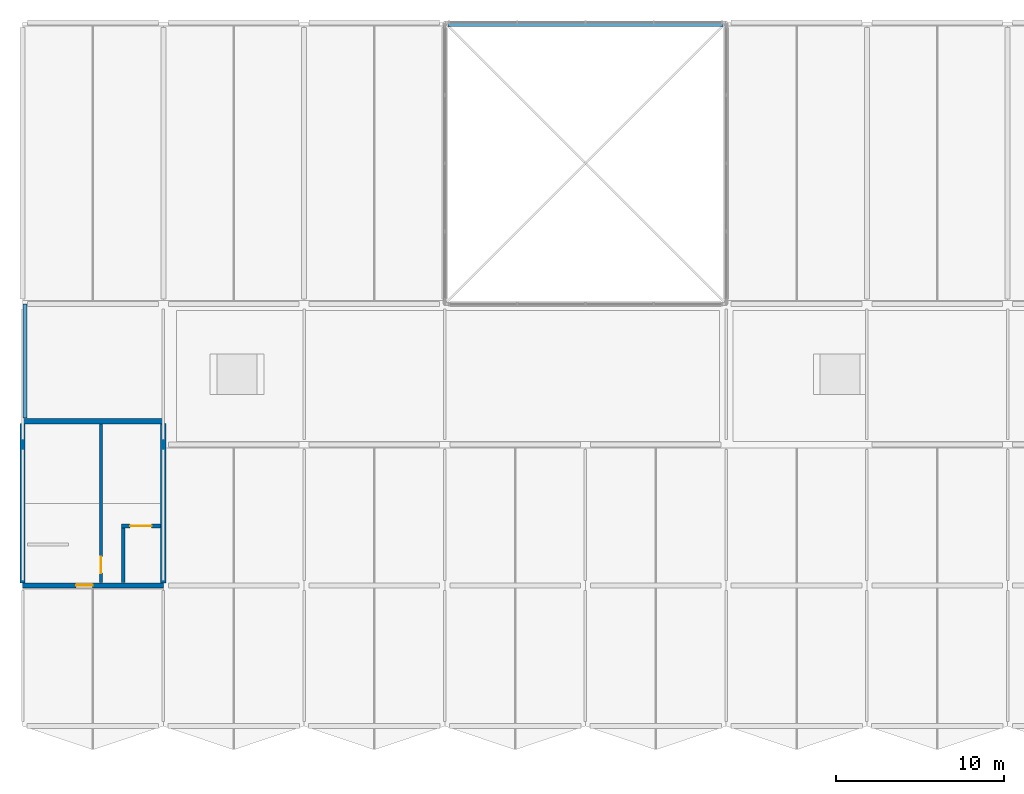
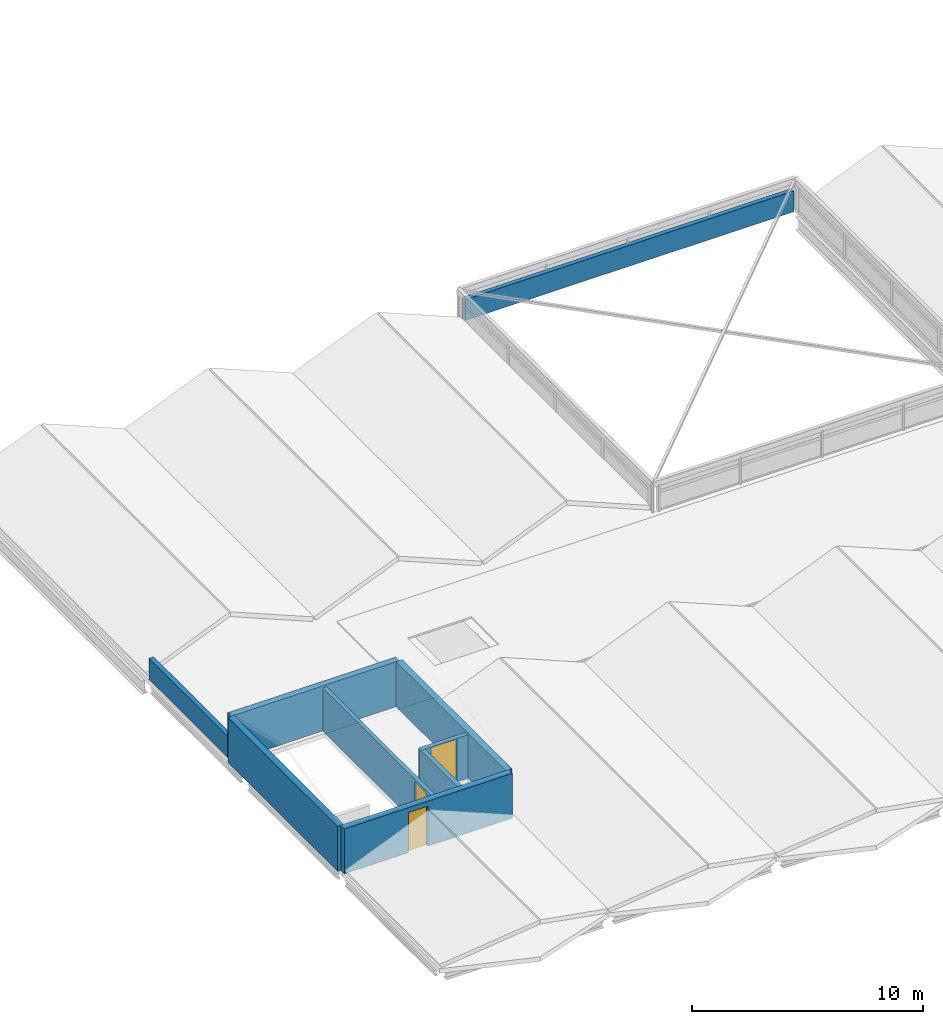
# One storey, part 12 of 14: 9 walls, 3 doors, 3 openings.
"""IFC4 building model written with IfcOpenShell, lengths in metres."""

import ifcopenshell
import ifcopenshell.guid

model = None  # the IFC model being written
_history = None  # IfcOwnerHistory: only IFC2X3 demands one
_inside = {}  # id of a spatial element -> (the spatial element, [elements in it])
_under = {}  # id of a project, library or spatial element -> (it, [spatial elements below it])
_declared = {}  # id of a project -> (the project, [libraries it declares])
_typed = {}  # id of a type object -> (the type object, [elements of that type])
_made_of = {}  # id of a material, layer set ... -> (it, [elements and type objects made of it])


def new_model(schema):
    """Start an empty IFC model of exactly this schema.

    Asked for "IFC4X3", IfcOpenShell would pick the latest addendum, in which some entities
    have other attributes; the version numbers below select the first issue.
    IFC2X3 requires an IfcOwnerHistory on every rooted entity: one is made here for all.
    """
    global model, _history
    if schema == "IFC4X3":
        model = ifcopenshell.file(schema_version=(4, 3, 0, 0))
    else:
        model = ifcopenshell.file(schema=schema)
    _inside.clear()
    _under.clear()
    _declared.clear()
    _typed.clear()
    _made_of.clear()
    _history = None
    if model.schema == "IFC2X3":
        org = make("IfcOrganization", Name="unknown")
        user = make(
            "IfcPersonAndOrganization",
            ThePerson=make("IfcPerson", FamilyName="unknown"),
            TheOrganization=org,
        )
        app = make(
            "IfcApplication",
            ApplicationDeveloper=org,
            Version="unknown",
            ApplicationFullName="unknown",
            ApplicationIdentifier="unknown",
        )
        _history = make(
            "IfcOwnerHistory",
            OwningUser=user,
            OwningApplication=app,
            ChangeAction="ADDED",
            CreationDate=0,
        )
    return model


def make(cls, **values):
    """One entity of the class cls with the attributes given. An attribute that is None is left unset."""
    return model.create_entity(
        cls, **{name: value for name, value in values.items() if value is not None}
    )


def rooted(cls, **values):
    """An entity with a GlobalId (a new one), such as an element, a storey or a relation."""
    return make(cls, GlobalId=ifcopenshell.guid.new(), OwnerHistory=_history, **values)


def si_unit(unit_type, name, prefix=None):
    """IfcSIUnit, for example si_unit("LENGTHUNIT", "METRE", prefix="MILLI")."""
    return make("IfcSIUnit", UnitType=unit_type, Prefix=prefix, Name=name)


def assignment(units):
    """IfcUnitAssignment: the units of a project."""
    return None if units is None else make("IfcUnitAssignment", Units=units)


def point(xyz):
    """IfcCartesianPoint."""
    return None if xyz is None else make("IfcCartesianPoint", Coordinates=xyz)


def direction(xyz):
    """IfcDirection."""
    return None if xyz is None else make("IfcDirection", DirectionRatios=xyz)


def frame(location, z_axis=None, x_axis=None):
    """IfcAxis2Placement3D, a coordinate frame: its origin and axes. An axis left out is left unset."""
    return make(
        "IfcAxis2Placement3D",
        Location=point(location),
        Axis=direction(z_axis),
        RefDirection=direction(x_axis),
    )


def frame_2d(location, x_axis=None):
    """IfcAxis2Placement2D, a coordinate frame in the plane: its origin and x axis."""
    return make(
        "IfcAxis2Placement2D", Location=point(location), RefDirection=direction(x_axis)
    )


def origin():
    """The frame at (0, 0, 0) with its axes left unset."""
    return frame((0.0, 0.0, 0.0))


def place(relative_to, where):
    """IfcLocalPlacement: puts the frame where relative to a parent placement (None: the world)."""
    return make(
        "IfcLocalPlacement", PlacementRelTo=relative_to, RelativePlacement=where
    )


def context(
    kind, dimensions, precision=None, world=None, true_north=None, identifier=None
):
    """IfcGeometricRepresentationContext, for example the 3D "Model" context."""
    return make(
        "IfcGeometricRepresentationContext",
        ContextIdentifier=identifier,
        ContextType=kind,
        CoordinateSpaceDimension=dimensions,
        Precision=precision,
        WorldCoordinateSystem=world,
        TrueNorth=true_north,
    )


def subcontext(parent, identifier, kind, view, scale=None):
    """IfcGeometricRepresentationSubContext, for example "Body" below "Model"."""
    return make(
        "IfcGeometricRepresentationSubContext",
        ContextIdentifier=identifier,
        ContextType=kind,
        ParentContext=parent,
        TargetScale=scale,
        TargetView=view,
    )


def project(units=None, contexts=None):
    """IfcProject with its units and contexts."""
    return rooted(
        "IfcProject",
        Name="project",
        RepresentationContexts=contexts,
        UnitsInContext=assignment(units),
    )


def spatial(cls, under=None, at=None, **own):
    """A site, building, storey or space (cls), placed at a placement, below another one or the project."""
    s = rooted(cls, ObjectPlacement=at, **own)
    if under is not None:
        _under.setdefault(under.id(), (under, []))[1].append(s)
    return s


def profile(cls, at=None, kind="AREA", **sizes):
    """A parametric profile (cls). Its sizes go by their IFC names, for example OverallWidth=200.0."""
    return make(cls, ProfileType=kind, Position=at, **sizes)


def rectangle(**sizes):
    """IfcRectangleProfileDef."""
    return profile("IfcRectangleProfileDef", **sizes)


def extrude(swept, where, along, depth):
    """IfcExtrudedAreaSolid: the profile swept, set in the frame where, extruded along a direction by depth."""
    return make(
        "IfcExtrudedAreaSolid",
        SweptArea=swept,
        Position=where,
        ExtrudedDirection=direction(along),
        Depth=depth,
    )


def shape(context_of_items, identifier, shape_type, items):
    """IfcShapeRepresentation: the items that make up one representation, for example the "Body"."""
    return make(
        "IfcShapeRepresentation",
        ContextOfItems=context_of_items,
        RepresentationIdentifier=identifier,
        RepresentationType=shape_type,
        Items=items,
    )


def material(Name=None, Category=None):
    """IfcMaterial."""
    return make("IfcMaterial", Name=Name, Category=Category)


def layer(
    of_material, thickness, ventilated=None, Name=None, Category=None, Priority=None
):
    """IfcMaterialLayer: one layer of a wall or slab, of a material (None: an air gap)."""
    return make(
        "IfcMaterialLayer",
        Material=of_material,
        LayerThickness=thickness,
        IsVentilated=ventilated,
        Name=Name,
        Category=Category,
        Priority=Priority,
    )


def layer_set(layers, Name=None):
    """IfcMaterialLayerSet."""
    return make("IfcMaterialLayerSet", MaterialLayers=layers, LayerSetName=Name)


def made_of(thing, what):
    """Note that an element or type object is made of a material, layer set ...; save() writes the relation."""
    if what is not None:
        _made_of.setdefault(what.id(), (what, []))[1].append(thing)
    return thing


def type_object(cls, material=None, **own):
    """A type object (cls), such as IfcWallType, which elements share."""
    return made_of(rooted(cls, **own), material)


def element(
    cls,
    number,
    at=None,
    inside=None,
    cuts=None,
    type_object=None,
    material=None,
    context=None,
    identifier="Body",
    shape_type=None,
    held_by="IfcProductDefinitionShape",
    body=None,
    shapes=None,
    **own,
):
    """One element of the class cls, such as IfcWall. Its Tag is "e" and its number.

    at: its placement. inside: the storey or other place that contains it. cuts: it is an
    opening in that element (IfcRelVoidsElement). A single representation is given by context,
    identifier, shape_type and body (its items); several are given by shapes. held_by: the class
    of the entity that holds the representations. save() writes the other relations.
    """
    e = rooted(cls, Tag="e%d" % number, ObjectPlacement=at, **own)
    if body is not None:
        shapes = [shape(context, identifier, shape_type, body)]
    if shapes is not None:
        e.Representation = make(held_by, Representations=shapes)
    if inside is not None:
        _inside.setdefault(inside.id(), (inside, []))[1].append(e)
    if cuts is not None:
        rooted(
            "IfcRelVoidsElement", RelatingBuildingElement=cuts, RelatedOpeningElement=e
        )
    if type_object is not None:
        _typed.setdefault(type_object.id(), (type_object, []))[1].append(e)
    return made_of(e, material)


def fill(opening, filler):
    """IfcRelFillsElement: the door or window that sits in an opening."""
    return rooted(
        "IfcRelFillsElement",
        RelatingOpeningElement=opening,
        RelatedBuildingElement=filler,
    )


def aggregate(whole, parts):
    """IfcRelAggregates: a whole, such as a stair, and the parts it consists of."""
    return rooted("IfcRelAggregates", RelatingObject=whole, RelatedObjects=parts)


def save(model, path):
    """Write the relations noted so far, then the file.

    IfcRelAggregates (storeys below a building ...), IfcRelContainedInSpatialStructure (elements
    in a storey), IfcRelDefinesByType, IfcRelAssociatesMaterial and IfcRelDeclares: one each for
    every whole, place, type object, material and project.
    """
    for whole, parts in _under.values():
        aggregate(whole, parts)
    for where, things in _inside.values():
        rooted(
            "IfcRelContainedInSpatialStructure",
            RelatedElements=things,
            RelatingStructure=where,
        )
    for kind, things in _typed.values():
        rooted("IfcRelDefinesByType", RelatedObjects=things, RelatingType=kind)
    for what, things in _made_of.values():
        rooted("IfcRelAssociatesMaterial", RelatedObjects=things, RelatingMaterial=what)
    for by, libraries in _declared.values():
        rooted("IfcRelDeclares", RelatingContext=by, RelatedDefinitions=libraries)
    model.write(path)


model = new_model("IFC4")

# Units and contexts
model_context = context("Model", 3, precision=1e-05, world=origin(), true_north=direction((0.0, 1.0)))
body_context = subcontext(model_context, "Body", "Model", "MODEL_VIEW")
ifc_project = project(units=[si_unit("LENGTHUNIT", "METRE"), si_unit("AREAUNIT", "SQUARE_METRE"), si_unit("VOLUMEUNIT", "CUBIC_METRE"), si_unit("PLANEANGLEUNIT", "RADIAN"), si_unit("MASSUNIT", "GRAM", prefix="KILO")], contexts=[model_context])

# Site, building, storey
site_placement = place(None, origin())
site = spatial("IfcSite", under=ifc_project, at=site_placement, CompositionType="ELEMENT")
building_placement = place(site_placement, origin())
building = spatial("IfcBuilding", under=site, at=building_placement, Name="Qawsi Khor Wholesale Market", CompositionType="ELEMENT")
storey_placement = place(building_placement, frame((0.0, 0.0, 20.699951171875)))
storey = spatial("IfcBuildingStorey", under=building, at=storey_placement, Name="RF", CompositionType="ELEMENT", Elevation=20.699951171875)

# Wall
ifc_material_1 = material(Name="Concrete C40/50", Category="concrete")
ifc_layer_1 = layer(ifc_material_1, 0.219970703125, Name="Concrete C40/50")
ifc_layer_set_1 = layer_set([ifc_layer_1], Name="Concrete C40/50")
wall_type_1 = type_object("IfcWallType", Name="Lift & Stair Shaft Wall RC 220", PredefinedType="SOLIDWALL", material=ifc_layer_set_1)
wall_1_placement = place(storey_placement, frame((31.2099609375, 8.56005859375, 0.0), z_axis=(0.0, 0.0, 1.0), x_axis=(0.0, 1.0, 0.0)))
element("IfcWall", 1, at=wall_1_placement, inside=storey, type_object=wall_type_1, Name="Lift FF-01 shaft wall W RF", PredefinedType="SOLIDWALL", context=body_context, shape_type="SweptSolid", body=[
    extrude(rectangle(XDim=3.389892578125, YDim=0.219970703125, at=frame_2d((1.69482421875, 0.0))), origin(), (0.0, 0.0, 1.0), 2.280029296875),
])

# Wall, opening, door
wall_2_placement = place(storey_placement, frame((31.10009765625, 11.949951171875, 0.0), z_axis=(0.0, 0.0, 1.0), x_axis=(1.0, 0.0, 0.0)))
wall_2 = element("IfcWall", 2, at=wall_2_placement, inside=storey, type_object=wall_type_1, Name="Lift FF-01 shaft wall N RF", PredefinedType="SOLIDWALL", context=body_context, shape_type="SweptSolid", body=[
    extrude(rectangle(XDim=2.33984375, YDim=0.219970703125, at=frame_2d((1.169921875, 0.0))), origin(), (0.0, 0.0, 1.0), 2.280029296875),
])
opening_1_placement = place(wall_2_placement, frame((0.514892578125, 0.0, 0.0)))
opening_1 = element("IfcOpeningElement", 3, at=opening_1_placement, cuts=wall_2, Name="Opening LD-FF130", PredefinedType="OPENING", context=body_context, shape_type="SweptSolid", body=[
    extrude(rectangle(XDim=1.280029296875, YDim=2.25, at=frame_2d((0.64013671875, 1.125))), frame((0.0, 0.119873046875, 0.0), z_axis=(0.0, -1.0, 0.0), x_axis=(1.0, 0.0, 0.0)), (0.0, 0.0, 1.0), 0.239990234375),
])
ifc_material_2 = material(Name="Brushed Stainless Steel", Category="steel")
door_type_1 = type_object("IfcDoorType", Name="Firefighting Lift Landing Sliding Door 1280x2250 FD90S", OperationType="NOTDEFINED", PredefinedType="DOOR", material=ifc_material_2)
door_1_placement = place(opening_1_placement, origin())
door_1 = element("IfcDoor", 4, at=door_1_placement, inside=storey, type_object=door_type_1, Name="Lift FF-01 landing door RF", OperationType="SLIDING_TO_LEFT", OverallHeight=2.25, OverallWidth=1.280029296875, PredefinedType="DOOR", context=body_context, shape_type="SweptSolid", body=[
    extrude(rectangle(XDim=1.280029296875, YDim=2.25, at=frame_2d((0.64013671875, 1.125))), frame((0.0, 0.02490234375, 0.0), z_axis=(0.0, -1.0, 0.0), x_axis=(1.0, 0.0, 0.0)), (0.0, 0.0, 1.0), 0.050048828125),
])
fill(opening_1, door_1)

ifc_layer_2 = layer(ifc_material_1, 0.31005859375, Name="Concrete C40/50")
ifc_layer_set_2 = layer_set([ifc_layer_2], Name="Concrete C40/50")
wall_type_2 = type_object("IfcWallType", Name="Roof Headhouse Concrete Wall 310", PredefinedType="SOLIDWALL", material=ifc_layer_set_2)
wall_3_placement = place(storey_placement, frame((33.60009765625, 8.39990234375, 0.0), z_axis=(0.0, 0.0, 1.0), x_axis=(-1.0, 0.0, 0.0)))
wall_3 = element("IfcWall", 5, at=wall_3_placement, inside=storey, type_object=wall_type_2, Name="HH-S-C01", PredefinedType="SOLIDWALL", context=body_context, shape_type="SweptSolid", body=[
    extrude(rectangle(XDim=8.400146484375, YDim=0.31005859375, at=frame_2d((4.2001953125, 0.0))), origin(), (0.0, 0.0, 1.0), 2.380126953125),
])
opening_2_placement = place(wall_3_placement, frame((4.219970703125, 0.0, 0.0)))
opening_2 = element("IfcOpeningElement", 6, at=opening_2_placement, cuts=wall_3, Name="Opening ED-09", PredefinedType="OPENING", context=body_context, shape_type="SweptSolid", body=[
    extrude(rectangle(XDim=0.97998046875, YDim=2.1201171875, at=frame_2d((0.489990234375, 1.06005859375))), frame((0.0, 0.1650390625, 0.0), z_axis=(0.0, -1.0, 0.0), x_axis=(1.0, 0.0, 0.0)), (0.0, 0.0, 1.0), 0.330078125),
])
ifc_material_3 = material(Name="Powder-Coated Galvanised Steel & Glazing", Category="steel")
door_type_2 = type_object("IfcDoorType", Name="Roof Headhouse Access Door 980x2120 FD60S", OperationType="NOTDEFINED", PredefinedType="DOOR", material=ifc_material_3)
door_2_placement = place(opening_2_placement, origin())
door_2 = element("IfcDoor", 7, at=door_2_placement, inside=storey, type_object=door_type_2, Name="Roof maintenance door C01", OperationType="SINGLE_SWING_RIGHT", OverallHeight=2.1201171875, OverallWidth=0.97998046875, PredefinedType="DOOR", context=body_context, shape_type="SweptSolid", body=[
    extrude(rectangle(XDim=0.97998046875, YDim=2.1201171875, at=frame_2d((0.489990234375, 1.06005859375))), frame((0.0, 0.02490234375, 0.0), z_axis=(0.0, -1.0, 0.0), x_axis=(1.0, 0.0, 0.0)), (0.0, 0.0, 1.0), 0.050048828125),
])
fill(opening_2, door_2)

# Walls
wall_4_placement = place(storey_placement, frame((25.199951171875, 18.199951171875, 0.0), z_axis=(0.0, 0.0, 1.0), x_axis=(1.0, 0.0, 0.0)))
element("IfcWall", 8, at=wall_4_placement, inside=storey, type_object=wall_type_2, Name="HH-N-C01", PredefinedType="SOLIDWALL", context=body_context, shape_type="SweptSolid", body=[
    extrude(rectangle(XDim=8.400146484375, YDim=0.31005859375, at=frame_2d((4.2001953125, 0.0))), origin(), (0.0, 0.0, 1.0), 2.380126953125),
])
for number, where, z_axis, x_axis, name in (
    (9, (25.199951171875, 8.550048828125, 0.0), (0.0, 0.0, 1.0), (0.0, 1.0, 0.0), "HH-W-C01"),
    (10, (33.60009765625, 18.050048828125, 0.0), (0.0, 0.0, 1.0), (0.0, -1.0, 0.0), "HH-E-C01"),
):
    element("IfcWall", number, at=place(storey_placement, frame(where, z_axis=z_axis, x_axis=x_axis)), inside=storey, type_object=wall_type_2, Name=name, PredefinedType="SOLIDWALL", context=body_context, shape_type="SweptSolid", body=[
        extrude(rectangle(XDim=9.5, YDim=0.31005859375, at=frame_2d((4.75, 0.0))), origin(), (0.0, 0.0, 1.0), 2.380126953125),
    ])
ifc_layer_3 = layer(ifc_material_1, 0.22998046875, Name="Concrete C40/50")
ifc_layer_set_3 = layer_set([ifc_layer_3], Name="Concrete C40/50")
wall_type_3 = type_object("IfcWallType", Name="Roof Parapet Upstand Wall 230", PredefinedType="PARAPET", material=ifc_layer_set_3)
wall_5_placement = place(storey_placement, frame((25.35009765625, 18.39990234375, 0.0), z_axis=(0.0, 0.0, 1.0), x_axis=(0.0, 1.0, 0.0)))
element("IfcWall", 11, at=wall_5_placement, inside=storey, type_object=wall_type_3, Name="Roof parapet PRP-RF-W", PredefinedType="PARAPET", context=body_context, shape_type="SweptSolid", body=[
    extrude(rectangle(XDim=6.800048828125, YDim=0.22998046875, at=frame_2d((3.39990234375, 0.0))), origin(), (0.0, 0.0, 1.0), 1.10009765625),
])
wall_6_placement = place(storey_placement, frame((50.60009765625, 41.8798828125, 0.0), z_axis=(0.0, 0.0, 1.0), x_axis=(1.0, 0.0, 0.0)))
element("IfcWall", 12, at=wall_6_placement, inside=storey, type_object=wall_type_3, Name="Roof parapet PRP-RF-N", PredefinedType="PARAPET", context=body_context, shape_type="SweptSolid", body=[
    extrude(rectangle(XDim=16.39990234375, YDim=0.22998046875, at=frame_2d((8.199951171875, 0.0))), origin(), (0.0, 0.0, 1.0), 1.10009765625),
])

# Wall, opening, door
ifc_layer_4 = layer(ifc_material_1, 0.18994140625, Name="Concrete C40/50")
ifc_layer_set_4 = layer_set([ifc_layer_4], Name="Concrete C40/50")
wall_type_4 = type_object("IfcWallType", Name="Stairwell Enclosure Wall RC 190", PredefinedType="SOLIDWALL", material=ifc_layer_set_4)
wall_7_placement = place(storey_placement, frame((29.8798828125, 8.56005859375, 0.0), z_axis=(0.0, 0.0, 1.0), x_axis=(0.0, 1.0, 0.0)))
wall_7 = element("IfcWall", 13, at=wall_7_placement, inside=storey, type_object=wall_type_4, Name="Core C01 headhouse stairwell wall RF", PredefinedType="SOLIDWALL", context=body_context, shape_type="SweptSolid", body=[
    extrude(rectangle(XDim=9.47998046875, YDim=0.18994140625, at=frame_2d((4.739990234375, 0.0))), origin(), (0.0, 0.0, 1.0), 2.280029296875),
])
opening_3_placement = place(wall_7_placement, frame((0.580078125, 0.0, 0.0)))
opening_3 = element("IfcOpeningElement", 14, at=opening_3_placement, cuts=wall_7, Name="Opening ID-17", PredefinedType="OPENING", context=body_context, shape_type="SweptSolid", body=[
    extrude(rectangle(XDim=0.97998046875, YDim=2.14990234375, at=frame_2d((0.489990234375, 1.074951171875))), frame((0.0, 0.10498046875, 0.0), z_axis=(0.0, -1.0, 0.0), x_axis=(1.0, 0.0, 0.0)), (0.0, 0.0, 1.0), 0.2099609375),
])
ifc_material_4 = material(Name="Steel Fire Door", Category="steel")
door_type_3 = type_object("IfcDoorType", Name="Core Stair Lobby Fire Door 980x2150 FD120S", OperationType="NOTDEFINED", PredefinedType="DOOR", material=ifc_material_4)
door_3_placement = place(opening_3_placement, origin())
door_3 = element("IfcDoor", 15, at=door_3_placement, inside=storey, type_object=door_type_3, Name="Core C01 headhouse stair door RF", OperationType="SINGLE_SWING_LEFT", OverallHeight=2.14990234375, OverallWidth=0.97998046875, PredefinedType="DOOR", context=body_context, shape_type="SweptSolid", body=[
    extrude(rectangle(XDim=0.97998046875, YDim=2.14990234375, at=frame_2d((0.489990234375, 1.074951171875))), frame((0.0, 0.02490234375, 0.0), z_axis=(0.0, -1.0, 0.0), x_axis=(1.0, 0.0, 0.0)), (0.0, 0.0, 1.0), 0.050048828125),
])
fill(opening_3, door_3)

save(model, "model.ifc")
